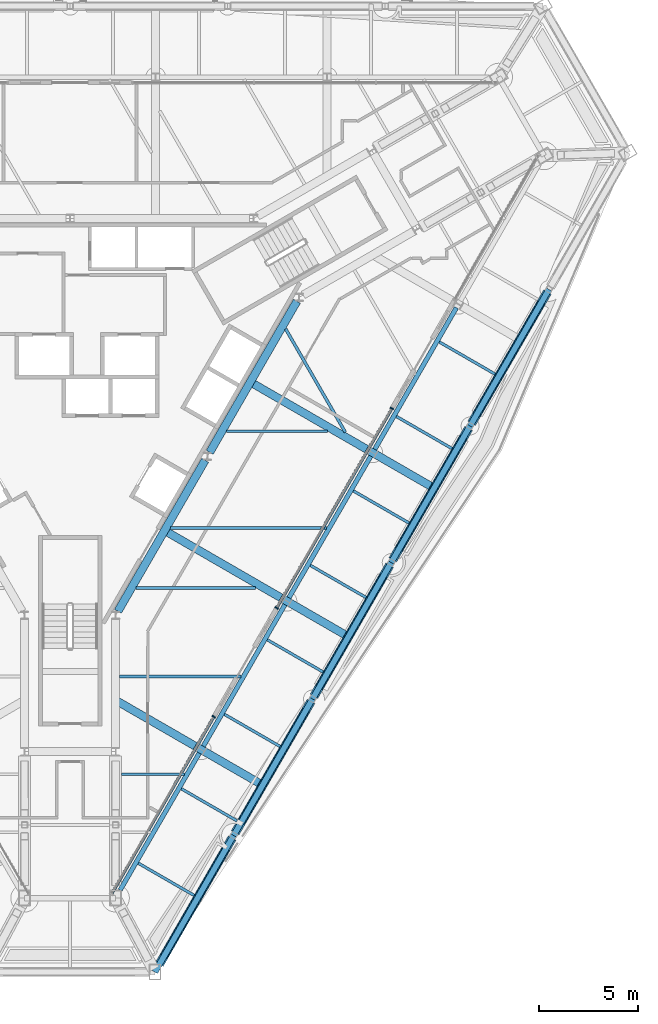
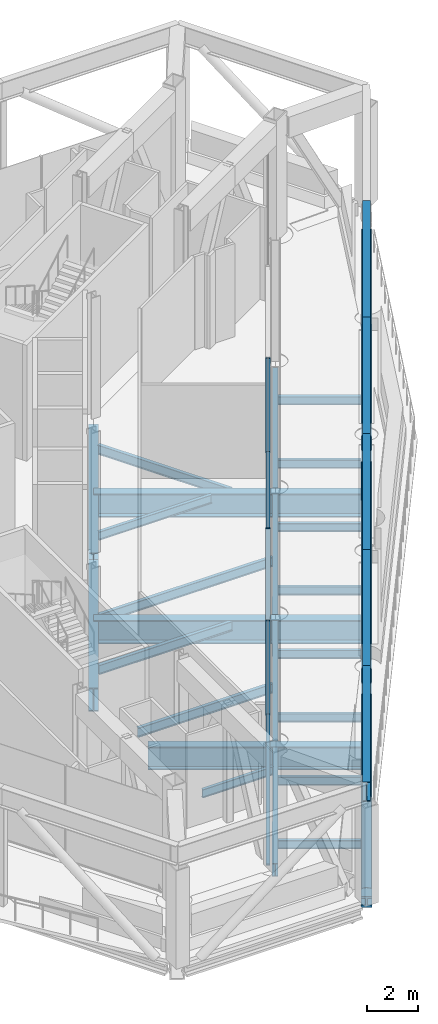
# One storey, part 8 of 24: 33 beams, 10 members, 2 elements without a shape of their own.
"""IFC4 building model written with IfcOpenShell, lengths in metres."""

from ifc_helpers import new_model, si_unit, direction, frame, origin, origin_2d, place, context, subcontext, project, spatial, rectangle, hollow_circle, i_section, extrude, material, material_profile, profile_set, type_object, element, aggregate, save


model = new_model("IFC4")

# Units and contexts
model_context = context("Model", 3, precision=1e-05, world=origin(), true_north=direction((0.0, 1.0)))
body_context = subcontext(model_context, "Body", "Model", "MODEL_VIEW")
ifc_project = project(units=[si_unit("LENGTHUNIT", "METRE"), si_unit("AREAUNIT", "SQUARE_METRE"), si_unit("VOLUMEUNIT", "CUBIC_METRE"), si_unit("PLANEANGLEUNIT", "RADIAN"), si_unit("MASSUNIT", "GRAM", prefix="KILO")], contexts=[model_context])

# Site, building, storey
site_placement = place(None, origin())
site = spatial("IfcSite", under=ifc_project, at=site_placement, CompositionType="ELEMENT")
building_placement = place(site_placement, origin())
building = spatial("IfcBuilding", under=site, at=building_placement, Name="Verrane Prism Tower", CompositionType="ELEMENT")
storey_placement = place(building_placement, frame((0.0, 0.0, 200.60009765625)))
storey = spatial("IfcBuildingStorey", under=building, at=storey_placement, Name="L50", CompositionType="ELEMENT", Elevation=200.60009765625)

# Beams
ifc_material_1 = material(Name="Steel A992", Category="steel")
ifc_material_profile_1 = material_profile(ifc_material_1, i_section(OverallWidth=0.44189453125, OverallDepth=0.53076171875, WebThickness=0.06591796875, FlangeThickness=0.105712890625, FilletRadius=0.01513671875, at=origin_2d()), Name="W14x605")
ifc_profile_set_1 = profile_set([ifc_material_profile_1], Name="Steel A992")
beam_type_1 = type_object("IfcBeamType", Name="Belt truss chord W14x605", PredefinedType="BEAM", material=ifc_profile_set_1)
beam_1_placement = place(storey_placement, frame((4.510498046875, -29.6201171875, -0.4248046875), z_axis=(0.499227926312, 0.866470702096, 0.0), x_axis=(-0.866470702096, 0.499227926312, 0.0)))
element("IfcBeam", 1, at=beam_1_placement, inside=storey, type_object=beam_type_1, Name="Belt truss chord L50", PredefinedType="BEAM", context=body_context, shape_type="SweptSolid", body=[
    extrude(i_section(OverallWidth=0.44189453125, OverallDepth=0.53076171875, WebThickness=0.06591796875, FlangeThickness=0.105712890625, FilletRadius=0.01513671875, at=origin_2d()), origin(), (0.0, 0.0, 1.0), 7.337890625),
])
beam_2_placement = place(storey_placement, frame((8.326171875, -22.998046875, -0.4248046875), z_axis=(0.500208494112, 0.865904996185, 0.0), x_axis=(-0.865904996185, 0.500208494112, 0.0)))
element("IfcBeam", 2, at=beam_2_placement, inside=storey, type_object=beam_type_1, Name="Belt truss chord L50", PredefinedType="BEAM", context=body_context, shape_type="SweptSolid", body=[
    extrude(i_section(OverallWidth=0.44189453125, OverallDepth=0.53076171875, WebThickness=0.06591796875, FlangeThickness=0.105712890625, FilletRadius=0.01513671875, at=origin_2d()), origin(), (0.0, 0.0, 1.0), 7.652099609375),
])
beam_3_placement = place(storey_placement, frame((12.30615234375, -16.10791015625, -0.4248046875), z_axis=(0.499793471116, 0.866144610461, 0.0), x_axis=(-0.866144610461, 0.499793471116, 0.0)))
element("IfcBeam", 3, at=beam_3_placement, inside=storey, type_object=beam_type_1, Name="Belt truss chord L50", PredefinedType="BEAM", context=body_context, shape_type="SweptSolid", body=[
    extrude(i_section(OverallWidth=0.44189453125, OverallDepth=0.53076171875, WebThickness=0.06591796875, FlangeThickness=0.105712890625, FilletRadius=0.01513671875, at=origin_2d()), origin(), (0.0, 0.0, 1.0), 7.638427734375),
])
for number, where, z_axis, x_axis, name in (
    (4, (16.276123046875, -9.22802734375, -0.4248046875), (0.500208494112, 0.865904996185, 0.0), (-0.865904996185, 0.500208494112, 0.0), "Belt truss chord L50"),
    (5, (20.256103515625, -2.337890625, -0.4248046875), (0.500208494112, 0.865904996185, 0.0), (-0.865904996185, 0.500208494112, 0.0), "Belt truss chord L50"),
):
    element("IfcBeam", number, at=place(storey_placement, frame(where, z_axis=z_axis, x_axis=x_axis)), inside=storey, type_object=beam_type_1, Name=name, PredefinedType="BEAM", context=body_context, shape_type="SweptSolid", body=[
        extrude(i_section(OverallWidth=0.44189453125, OverallDepth=0.53076171875, WebThickness=0.06591796875, FlangeThickness=0.105712890625, FilletRadius=0.01513671875, at=origin_2d()), origin(), (0.0, 0.0, 1.0), 7.652099609375),
    ])
ifc_material_2 = material(Name="Steel A992", Category="steel")
ifc_material_profile_2 = material_profile(ifc_material_2, i_section(OverallWidth=0.307373046875, OverallDepth=0.927001953125, WebThickness=0.01953125, FlangeThickness=0.031982421875, FilletRadius=0.01904296875, at=origin_2d()), Name="W36x194")
ifc_profile_set_2 = profile_set([ifc_material_profile_2], Name="Steel A992")
beam_type_2 = type_object("IfcBeamType", Name="Belt truss chord W36x194", PredefinedType="BEAM", material=ifc_profile_set_2)
beam_4_placement = place(storey_placement, frame((4.280029296875, -30.02001953125, 5.176513671875), z_axis=(0.4992404173, 0.866463505137, 0.0), x_axis=(-0.866463505137, 0.4992404173, 0.0)))
element("IfcBeam", 6, at=beam_4_placement, inside=storey, type_object=beam_type_2, Name="Belt truss chord L50", PredefinedType="BEAM", context=body_context, shape_type="SweptSolid", body=[
    extrude(i_section(OverallWidth=0.307373046875, OverallDepth=0.927001953125, WebThickness=0.01953125, FlangeThickness=0.031982421875, FilletRadius=0.01904296875, at=origin_2d()), origin(), (0.0, 0.0, 1.0), 7.951904296875),
])
beam_5_placement = place(storey_placement, frame((8.25, -23.1298828125, 5.176513671875), z_axis=(0.500197848917, 0.865911145522, 0.0), x_axis=(-0.865911145522, 0.500197848917, 0.0)))
element("IfcBeam", 7, at=beam_5_placement, inside=storey, type_object=beam_type_2, Name="Belt truss chord L50", PredefinedType="BEAM", context=body_context, shape_type="SweptSolid", body=[
    extrude(i_section(OverallWidth=0.307373046875, OverallDepth=0.927001953125, WebThickness=0.01953125, FlangeThickness=0.031982421875, FilletRadius=0.01904296875, at=origin_2d()), origin(), (0.0, 0.0, 1.0), 7.956787109375),
])
beam_6_placement = place(storey_placement, frame((12.22998046875, -16.239990234375, 5.176513671875), z_axis=(0.499798728781, 0.866141576597, 0.0), x_axis=(-0.866141576597, 0.499798728781, 0.0)))
element("IfcBeam", 8, at=beam_6_placement, inside=storey, type_object=beam_type_2, Name="Belt truss chord L50", PredefinedType="BEAM", context=body_context, shape_type="SweptSolid", body=[
    extrude(i_section(OverallWidth=0.307373046875, OverallDepth=0.927001953125, WebThickness=0.01953125, FlangeThickness=0.031982421875, FilletRadius=0.01904296875, at=origin_2d()), origin(), (0.0, 0.0, 1.0), 7.943115234375),
])
beam_7_placement = place(storey_placement, frame((16.199951171875, -9.360107421875, 5.176513671875), z_axis=(0.500184559484, 0.865918822092, 0.0), x_axis=(-0.865918822092, 0.500184559484, 0.0)))
element("IfcBeam", 9, at=beam_7_placement, inside=storey, type_object=beam_type_2, Name="Belt truss chord L50", PredefinedType="BEAM", context=body_context, shape_type="SweptSolid", body=[
    extrude(i_section(OverallWidth=0.307373046875, OverallDepth=0.927001953125, WebThickness=0.01953125, FlangeThickness=0.031982421875, FilletRadius=0.01904296875, at=origin_2d()), origin(), (0.0, 0.0, 1.0), 7.95703125),
])
beam_8_placement = place(storey_placement, frame((20.179931640625, -2.469970703125, 5.176513671875), z_axis=(0.500197848917, 0.865911145522, 0.0), x_axis=(-0.865911145522, 0.500197848917, 0.0)))
element("IfcBeam", 10, at=beam_8_placement, inside=storey, type_object=beam_type_2, Name="Belt truss chord L50", PredefinedType="BEAM", context=body_context, shape_type="SweptSolid", body=[
    extrude(i_section(OverallWidth=0.307373046875, OverallDepth=0.927001953125, WebThickness=0.01953125, FlangeThickness=0.031982421875, FilletRadius=0.01904296875, at=origin_2d()), origin(), (0.0, 0.0, 1.0), 7.956787109375),
])

# Members
ifc_material_3 = material(Name="Steel A500 Grade C", Category="steel")
ifc_material_profile_3 = material_profile(ifc_material_3, hollow_circle(Radius=0.203125, WallThickness=0.0126953125, at=origin_2d()), Name="HSS16.000x0.500")
ifc_profile_set_3 = profile_set([ifc_material_profile_3], Name="Steel A500 Grade C")
member_type_1 = type_object("IfcMemberType", Name="Belt truss diagonal HSS16.000x0.500", PredefinedType="BRACE", material=ifc_profile_set_3)
member_1_placement = place(storey_placement, frame((4.755615234375, -29.194580078125, -0.1591796875), z_axis=(0.388800054285, 0.674779999428, 0.627300940666), x_axis=(-0.866461191339, 0.499244433022, 0.0)))
element("IfcMember", 11, at=member_1_placement, inside=storey, type_object=member_type_1, Name="Belt truss diagonal L50", PredefinedType="BRACE", context=body_context, shape_type="SweptSolid", body=[
    extrude(hollow_circle(Radius=0.203125, WallThickness=0.0126953125, at=origin_2d()), origin(), (0.0, 0.0, 1.0), 7.94970703125),
])
member_2_placement = place(storey_placement, frame((11.871337890625, -16.86083984375, -0.1591796875), z_axis=(-0.39493033552, -0.683684649303, 0.61368178268), x_axis=(0.86591305348, -0.500194545965, 0.0)))
element("IfcMember", 12, at=member_2_placement, inside=storey, type_object=member_type_1, Name="Belt truss diagonal L50", PredefinedType="BRACE", context=body_context, shape_type="SweptSolid", body=[
    extrude(hollow_circle(Radius=0.203125, WallThickness=0.0126953125, at=origin_2d()), origin(), (0.0, 0.0, 1.0), 8.1259765625),
])
member_3_placement = place(storey_placement, frame((12.588134765625, -15.619384765625, -0.1591796875), z_axis=(0.394324771858, 0.683367927917, 0.6144235098), x_axis=(-0.86614496066, 0.499792864218, 0.0)))
element("IfcMember", 13, at=member_3_placement, inside=storey, type_object=member_type_1, Name="Belt truss diagonal L50", PredefinedType="BRACE", context=body_context, shape_type="SweptSolid", body=[
    extrude(hollow_circle(Radius=0.203125, WallThickness=0.0126953125, at=origin_2d()), origin(), (0.0, 0.0, 1.0), 8.1162109375),
])
member_4_placement = place(storey_placement, frame((19.8212890625, -3.0908203125, -0.1591796875), z_axis=(-0.394904976905, -0.683692761294, 0.613689064079), x_axis=(0.865929534628, -0.500166013498, 0.0)))
element("IfcMember", 14, at=member_4_placement, inside=storey, type_object=member_type_1, Name="Belt truss diagonal L50", PredefinedType="BRACE", context=body_context, shape_type="SweptSolid", body=[
    extrude(hollow_circle(Radius=0.203125, WallThickness=0.0126953125, at=origin_2d()), origin(), (0.0, 0.0, 1.0), 8.1259765625),
])
member_5_placement = place(storey_placement, frame((20.538818359375, -1.84912109375, -0.1591796875), z_axis=(0.394913088803, 0.683676760173, 0.613701670107), x_axis=(-0.865920014639, 0.500182494943, 0.0)))
element("IfcMember", 15, at=member_5_placement, inside=storey, type_object=member_type_1, Name="Belt truss diagonal L50", PredefinedType="BRACE", context=body_context, shape_type="SweptSolid", body=[
    extrude(hollow_circle(Radius=0.203125, WallThickness=0.0126953125, at=origin_2d()), origin(), (0.0, 0.0, 1.0), 8.125732421875),
])

# Beams
ifc_material_4 = material(Name="Steel A992", Category="steel")
ifc_material_profile_4 = material_profile(ifc_material_4, i_section(OverallWidth=0.140380859375, OverallDepth=0.40380859375, WebThickness=0.007080078125, FlangeThickness=0.01123046875, FilletRadius=0.01025390625, at=origin_2d()), Name="W16x31")
ifc_profile_set_4 = profile_set([ifc_material_profile_4], Name="Steel A992")
beam_type_3 = type_object("IfcBeamType", Name="Floor beam W16x31", PredefinedType="BEAM", material=ifc_profile_set_4)
beam_9_placement = place(storey_placement, frame((21.4365234375, 0.147216796875, -0.362060546875), z_axis=(-0.86601641886, 0.500015562023, 0.0), x_axis=(-0.500015562023, -0.86601641886, 0.0)))
element("IfcBeam", 16, at=beam_9_placement, inside=storey, type_object=beam_type_3, Name="Floor beam L50", PredefinedType="BEAM", context=body_context, shape_type="SweptSolid", body=[
    extrude(i_section(OverallWidth=0.140380859375, OverallDepth=0.40380859375, WebThickness=0.007080078125, FlangeThickness=0.01123046875, FilletRadius=0.01025390625, at=origin_2d()), origin(), (0.0, 0.0, 1.0), 3.24462890625),
])
beam_10_placement = place(storey_placement, frame((19.266845703125, -3.609130859375, -0.362060546875), z_axis=(-0.866042624125, 0.49997017231, 0.0), x_axis=(-0.49997017231, -0.866042624125, 0.0)))
element("IfcBeam", 17, at=beam_10_placement, inside=storey, type_object=beam_type_3, Name="Floor beam L50", PredefinedType="BEAM", context=body_context, shape_type="SweptSolid", body=[
    extrude(i_section(OverallWidth=0.140380859375, OverallDepth=0.40380859375, WebThickness=0.007080078125, FlangeThickness=0.01123046875, FilletRadius=0.01025390625, at=origin_2d()), origin(), (0.0, 0.0, 1.0), 3.241943359375),
])
beam_11_placement = place(storey_placement, frame((17.096923828125, -7.365478515625, -0.362060546875), z_axis=(-0.866018751313, 0.500011522242, 0.0), x_axis=(-0.500011522242, -0.866018751313, 0.0)))
element("IfcBeam", 18, at=beam_11_placement, inside=storey, type_object=beam_type_3, Name="Floor beam L50", PredefinedType="BEAM", context=body_context, shape_type="SweptSolid", body=[
    extrude(i_section(OverallWidth=0.140380859375, OverallDepth=0.40380859375, WebThickness=0.007080078125, FlangeThickness=0.01123046875, FilletRadius=0.01025390625, at=origin_2d()), origin(), (0.0, 0.0, 1.0), 3.2412109375),
])
beam_12_placement = place(storey_placement, frame((14.927978515625, -11.122314453125, -0.362060546875), z_axis=(-0.866025149481, 0.500000440466, 0.0), x_axis=(-0.500000440466, -0.866025149481, 0.0)))
element("IfcBeam", 19, at=beam_12_placement, inside=storey, type_object=beam_type_3, Name="Floor beam L50", PredefinedType="BEAM", context=body_context, shape_type="SweptSolid", body=[
    extrude(i_section(OverallWidth=0.140380859375, OverallDepth=0.40380859375, WebThickness=0.007080078125, FlangeThickness=0.01123046875, FilletRadius=0.01025390625, at=origin_2d()), origin(), (0.0, 0.0, 1.0), 3.24365234375),
])
beam_13_placement = place(storey_placement, frame((12.760009765625, -14.879638671875, -0.362060546875), z_axis=(-0.866021460221, 0.500006830391, 0.0), x_axis=(-0.500006830391, -0.866021460221, 0.0)))
element("IfcBeam", 20, at=beam_13_placement, inside=storey, type_object=beam_type_3, Name="Floor beam L50", PredefinedType="BEAM", context=body_context, shape_type="SweptSolid", body=[
    extrude(i_section(OverallWidth=0.140380859375, OverallDepth=0.40380859375, WebThickness=0.007080078125, FlangeThickness=0.01123046875, FilletRadius=0.01025390625, at=origin_2d()), origin(), (0.0, 0.0, 1.0), 3.2451171875),
])
beam_14_placement = place(storey_placement, frame((10.590576171875, -18.63623046875, -0.362060546875), z_axis=(-0.86601506192, 0.500017912207, 0.0), x_axis=(-0.500017912207, -0.86601506192, 0.0)))
element("IfcBeam", 21, at=beam_14_placement, inside=storey, type_object=beam_type_3, Name="Floor beam L50", PredefinedType="BEAM", context=body_context, shape_type="SweptSolid", body=[
    extrude(i_section(OverallWidth=0.140380859375, OverallDepth=0.40380859375, WebThickness=0.007080078125, FlangeThickness=0.01123046875, FilletRadius=0.01025390625, at=origin_2d()), origin(), (0.0, 0.0, 1.0), 3.24267578125),
])
beam_15_placement = place(storey_placement, frame((8.4208984375, -22.392578125, -0.362060546875), z_axis=(-0.866028841934, 0.499994044904, 0.0), x_axis=(-0.499994044904, -0.866028841934, 0.0)))
element("IfcBeam", 22, at=beam_15_placement, inside=storey, type_object=beam_type_3, Name="Floor beam L50", PredefinedType="BEAM", context=body_context, shape_type="SweptSolid", body=[
    extrude(i_section(OverallWidth=0.140380859375, OverallDepth=0.40380859375, WebThickness=0.007080078125, FlangeThickness=0.01123046875, FilletRadius=0.01025390625, at=origin_2d()), origin(), (0.0, 0.0, 1.0), 3.2421875),
])
beam_16_placement = place(storey_placement, frame((6.25439453125, -26.15087890625, -0.362060546875), z_axis=(-0.866027848477, 0.499995765644, 0.0), x_axis=(-0.499995765644, -0.866027848477, 0.0)))
element("IfcBeam", 23, at=beam_16_placement, inside=storey, type_object=beam_type_3, Name="Floor beam L50", PredefinedType="BEAM", context=body_context, shape_type="SweptSolid", body=[
    extrude(i_section(OverallWidth=0.140380859375, OverallDepth=0.40380859375, WebThickness=0.007080078125, FlangeThickness=0.01123046875, FilletRadius=0.01025390625, at=origin_2d()), origin(), (0.0, 0.0, 1.0), 3.24755859375),
])
beam_17_placement = place(storey_placement, frame((2.598388671875, -20.03662109375, -0.362060546875), z_axis=(1.0, 0.0, 0.0), x_axis=(0.0, 1.0, 0.0)))
element("IfcBeam", 24, at=beam_17_placement, inside=storey, type_object=beam_type_3, Name="Floor beam L50", PredefinedType="BEAM", context=body_context, shape_type="SweptSolid", body=[
    extrude(i_section(OverallWidth=0.140380859375, OverallDepth=0.40380859375, WebThickness=0.007080078125, FlangeThickness=0.01123046875, FilletRadius=0.01025390625, at=origin_2d()), origin(), (0.0, 0.0, 1.0), 3.173828125),
])
beam_18_placement = place(storey_placement, frame((7.890869140625, -2.73681640625, -0.362060546875), z_axis=(1.0, 0.0, 0.0), x_axis=(0.0, 1.0, 0.0)))
element("IfcBeam", 25, at=beam_18_placement, inside=storey, type_object=beam_type_3, Name="Floor beam L50", PredefinedType="BEAM", context=body_context, shape_type="SweptSolid", body=[
    extrude(i_section(OverallWidth=0.140380859375, OverallDepth=0.40380859375, WebThickness=0.007080078125, FlangeThickness=0.01123046875, FilletRadius=0.01025390625, at=origin_2d()), origin(), (0.0, 0.0, 1.0), 5.099609375),
])
ifc_material_5 = material(Name="Steel A992", Category="steel")
ifc_material_profile_5 = material_profile(ifc_material_5, i_section(OverallWidth=0.15234375, OverallDepth=0.449462890625, WebThickness=0.007568359375, FlangeThickness=0.0107421875, FilletRadius=0.01025390625, at=origin_2d()), Name="W18x35")
ifc_profile_set_5 = profile_set([ifc_material_profile_5], Name="Steel A992")
beam_type_4 = type_object("IfcBeamType", Name="Floor beam W18x35", PredefinedType="BEAM", material=ifc_profile_set_5)
beam_19_placement = place(storey_placement, frame((2.501953125, -15.11669921875, -0.385009765625), z_axis=(1.0, 0.0, 0.0), x_axis=(0.0, 1.0, 0.0)))
element("IfcBeam", 26, at=beam_19_placement, inside=storey, type_object=beam_type_4, Name="Floor beam L50", PredefinedType="BEAM", context=body_context, shape_type="SweptSolid", body=[
    extrude(i_section(OverallWidth=0.15234375, OverallDepth=0.449462890625, WebThickness=0.007568359375, FlangeThickness=0.0107421875, FilletRadius=0.01025390625, at=origin_2d()), origin(), (0.0, 0.0, 1.0), 6.10986328125),
])
beam_20_placement = place(storey_placement, frame((3.33544921875, -10.63330078125, -0.385009765625), z_axis=(1.0, 0.0, 0.0), x_axis=(0.0, 1.0, 0.0)))
element("IfcBeam", 27, at=beam_20_placement, inside=storey, type_object=beam_type_4, Name="Floor beam L50", PredefinedType="BEAM", context=body_context, shape_type="SweptSolid", body=[
    extrude(i_section(OverallWidth=0.15234375, OverallDepth=0.449462890625, WebThickness=0.007568359375, FlangeThickness=0.0107421875, FilletRadius=0.01025390625, at=origin_2d()), origin(), (0.0, 0.0, 1.0), 6.02783203125),
])
beam_21_placement = place(storey_placement, frame((5.076171875, -7.623291015625, -0.385009765625), z_axis=(1.0, 0.0, 0.0), x_axis=(0.0, 1.0, 0.0)))
element("IfcBeam", 28, at=beam_21_placement, inside=storey, type_object=beam_type_4, Name="Floor beam L50", PredefinedType="BEAM", context=body_context, shape_type="SweptSolid", body=[
    extrude(i_section(OverallWidth=0.15234375, OverallDepth=0.449462890625, WebThickness=0.007568359375, FlangeThickness=0.0107421875, FilletRadius=0.01025390625, at=origin_2d()), origin(), (0.0, 0.0, 1.0), 7.8623046875),
])
beam_22_placement = place(storey_placement, frame((13.885498046875, -2.786865234375, -0.385009765625), z_axis=(-0.5000230048, 0.86601212155, 0.0), x_axis=(-0.86601212155, -0.5000230048, 0.0)))
element("IfcBeam", 29, at=beam_22_placement, inside=storey, type_object=beam_type_4, Name="Floor beam L50", PredefinedType="BEAM", context=body_context, shape_type="SweptSolid", body=[
    extrude(i_section(OverallWidth=0.15234375, OverallDepth=0.449462890625, WebThickness=0.007568359375, FlangeThickness=0.0107421875, FilletRadius=0.01025390625, at=origin_2d()), origin(), (0.0, 0.0, 1.0), 6.023681640625),
])

# Curtain wall, member
ifc_material_6 = material(Name="Aluminium framed insulated glazing", Category="aluminium")
curtain_wall_type = type_object("IfcCurtainWallType", Name="Curtain wall CW-A 8400 module", PredefinedType="NOTDEFINED", material=ifc_material_6)
curtain_wall_1_placement = place(storey_placement, origin())
curtain_wall_1 = element("IfcCurtainWall", 30, at=curtain_wall_1_placement, inside=storey, type_object=curtain_wall_type, Name="Refuge lounge glazing south-east face L50 1", PredefinedType="NOTDEFINED")
ifc_material_7 = material(Name="Aluminium alloy 6063-T6", Category="aluminium")
ifc_material_profile_6 = material_profile(ifc_material_7, rectangle(XDim=0.199951171875, YDim=0.070068359375, at=origin_2d()), Name="Mullion 70x200 aluminium")
ifc_profile_set_6 = profile_set([ifc_material_profile_6], Name="Aluminium alloy 6063-T6")
member_type_2 = type_object("IfcMemberType", Name="Mullion 70x200 aluminium", PredefinedType="MULLION", material=ifc_profile_set_6)
member_6_placement = place(storey_placement, frame((7.255126953125, -17.1357421875, 0.0), z_axis=(0.0, 0.0, 1.0), x_axis=(-0.866027425724, 0.499996497882, 0.0)))
member_6 = element("IfcMember", 31, at=member_6_placement, type_object=member_type_2, Name="CW50.6.1 mullion 2", PredefinedType="MULLION", context=body_context, shape_type="SweptSolid", body=[
    extrude(rectangle(XDim=0.199951171875, YDim=0.070068359375, at=origin_2d()), origin(), (0.0, 0.0, 1.0), 4.522216796875),
])

# Curtain wall, members
curtain_wall_2_placement = place(storey_placement, origin())
curtain_wall_2 = element("IfcCurtainWall", 32, at=curtain_wall_2_placement, inside=storey, type_object=curtain_wall_type, Name="Refuge lounge glazing south-east face L50 2", PredefinedType="NOTDEFINED")
member_7_placement = place(storey_placement, frame((10.420166015625, -11.65380859375, 0.0), z_axis=(0.0, 0.0, 1.0), x_axis=(-0.866026301441, 0.49999844521, 0.0)))
member_7 = element("IfcMember", 33, at=member_7_placement, type_object=member_type_2, Name="CW50.6.2 mullion 1", PredefinedType="MULLION", context=body_context, shape_type="SweptSolid", body=[
    extrude(rectangle(XDim=0.199951171875, YDim=0.070068359375, at=origin_2d()), origin(), (0.0, 0.0, 1.0), 4.522216796875),
])
member_8_placement = place(storey_placement, frame((16.234619140625, -1.5830078125, 0.0), z_axis=(0.0, 0.0, 1.0), x_axis=(-0.866026301441, 0.49999844521, 0.0)))
member_8 = element("IfcMember", 34, at=member_8_placement, type_object=member_type_2, Name="CW50.6.2 mullion 2", PredefinedType="MULLION", context=body_context, shape_type="SweptSolid", body=[
    extrude(rectangle(XDim=0.199951171875, YDim=0.070068359375, at=origin_2d()), origin(), (0.0, 0.0, 1.0), 4.522216796875),
])

# Beams
ifc_material_8 = material(Name="Steel A992", Category="steel")
ifc_material_profile_7 = material_profile(ifc_material_8, i_section(OverallWidth=0.23046875, OverallDepth=0.6171875, WebThickness=0.01318359375, FlangeThickness=0.022216796875, FilletRadius=0.012939453125, at=origin_2d()), Name="W24x94")
ifc_profile_set_7 = profile_set([ifc_material_profile_7], Name="Steel A992")
beam_type_5 = type_object("IfcBeamType", Name="Spandrel beam W24x94", PredefinedType="SPANDREL", material=ifc_profile_set_7)
beam_23_placement = place(storey_placement, frame((2.521240234375, -25.889892578125, -0.46875), z_axis=(0.500486844155, 0.865744141666, 0.0), x_axis=(-0.865744141666, 0.500486844155, 0.0)))
element("IfcBeam", 35, at=beam_23_placement, inside=storey, type_object=beam_type_5, Name="Spandrel beam L50", PredefinedType="SPANDREL", context=body_context, shape_type="SweptSolid", body=[
    extrude(i_section(OverallWidth=0.23046875, OverallDepth=0.6171875, WebThickness=0.01318359375, FlangeThickness=0.022216796875, FilletRadius=0.012939453125, at=origin_2d()), origin(), (0.0, 0.0, 1.0), 7.98876953125),
])
beam_24_placement = place(storey_placement, frame((6.72021484375, -18.626220703125, -0.46875), z_axis=(0.499613933384, 0.866248184742, 0.0), x_axis=(-0.866248184742, 0.499613933384, 0.0)))
element("IfcBeam", 36, at=beam_24_placement, inside=storey, type_object=beam_type_5, Name="Spandrel beam L50", PredefinedType="SPANDREL", context=body_context, shape_type="SweptSolid", body=[
    extrude(i_section(OverallWidth=0.23046875, OverallDepth=0.6171875, WebThickness=0.01318359375, FlangeThickness=0.022216796875, FilletRadius=0.012939453125, at=origin_2d()), origin(), (0.0, 0.0, 1.0), 8.2451171875),
])
beam_25_placement = place(storey_placement, frame((11.040283203125, -11.13623046875, -0.46875), z_axis=(0.500511266251, 0.865730022788, 0.0), x_axis=(-0.865730022788, 0.500511266251, 0.0)))
element("IfcBeam", 37, at=beam_25_placement, inside=storey, type_object=beam_type_5, Name="Spandrel beam L50", PredefinedType="SPANDREL", context=body_context, shape_type="SweptSolid", body=[
    extrude(i_section(OverallWidth=0.23046875, OverallDepth=0.6171875, WebThickness=0.01318359375, FlangeThickness=0.022216796875, FilletRadius=0.012939453125, at=origin_2d()), origin(), (0.0, 0.0, 1.0), 8.250244140625),
])
beam_26_placement = place(storey_placement, frame((15.370361328125, -3.646240234375, -0.46875), z_axis=(0.499613933384, 0.866248184742, 0.0), x_axis=(-0.866248184742, 0.499613933384, 0.0)))
element("IfcBeam", 38, at=beam_26_placement, inside=storey, type_object=beam_type_5, Name="Spandrel beam L50", PredefinedType="SPANDREL", context=body_context, shape_type="SweptSolid", body=[
    extrude(i_section(OverallWidth=0.23046875, OverallDepth=0.6171875, WebThickness=0.01318359375, FlangeThickness=0.022216796875, FilletRadius=0.012939453125, at=origin_2d()), origin(), (0.0, 0.0, 1.0), 8.2451171875),
])
ifc_material_9 = material(Name="Steel A992", Category="steel")
ifc_material_profile_8 = material_profile(ifc_material_9, i_section(OverallWidth=0.40380859375, OverallDepth=1.11767578125, WebThickness=0.026123046875, FlangeThickness=0.044921875, FilletRadius=0.02001953125, at=origin_2d()), Name="W44x335")
ifc_profile_set_8 = profile_set([ifc_material_profile_8], Name="Steel A992")
beam_type_6 = type_object("IfcBeamType", Name="Transfer girder W44x335", PredefinedType="BEAM", material=ifc_profile_set_8)
beam_27_placement = place(storey_placement, frame((2.4150390625, -11.820556640625, -0.808837890625), z_axis=(0.499988222896, 0.866032203192, 0.0), x_axis=(-0.866032203192, 0.499988222896, 0.0)))
element("IfcBeam", 39, at=beam_27_placement, inside=storey, type_object=beam_type_6, Name="Transfer girder L50", PredefinedType="BEAM", context=body_context, shape_type="SweptSolid", body=[
    extrude(i_section(OverallWidth=0.40380859375, OverallDepth=1.11767578125, WebThickness=0.026123046875, FlangeThickness=0.044921875, FilletRadius=0.02001953125, at=origin_2d()), origin(), (0.0, 0.0, 1.0), 8.800048828125),
])
beam_28_placement = place(storey_placement, frame((7.045166015625, -3.800537109375, -0.808837890625), z_axis=(0.499967414725, 0.866044216084, 0.0), x_axis=(-0.866044216084, 0.499967414725, 0.0)))
element("IfcBeam", 40, at=beam_28_placement, inside=storey, type_object=beam_type_6, Name="Transfer girder L50", PredefinedType="BEAM", context=body_context, shape_type="SweptSolid", body=[
    extrude(i_section(OverallWidth=0.40380859375, OverallDepth=1.11767578125, WebThickness=0.026123046875, FlangeThickness=0.044921875, FilletRadius=0.02001953125, at=origin_2d()), origin(), (0.0, 0.0, 1.0), 8.7998046875),
])
beam_29_placement = place(storey_placement, frame((9.5263671875, -20.47802734375, -0.718994140625), z_axis=(-0.866025284917, 0.500000205884, 0.0), x_axis=(-0.500000205884, -0.866025284917, 0.0)))
element("IfcBeam", 41, at=beam_29_placement, inside=storey, type_object=beam_type_6, Name="Transfer girder L50", PredefinedType="BEAM", context=body_context, shape_type="SweptSolid", body=[
    extrude(i_section(OverallWidth=0.40380859375, OverallDepth=1.11767578125, WebThickness=0.026123046875, FlangeThickness=0.044921875, FilletRadius=0.02001953125, at=origin_2d()), origin(), (0.0, 0.0, 1.0), 8.34423828125),
])
for number, where, z_axis, x_axis, name in (
    (42, (13.849609375, -12.989990234375, -0.718994140625), (-0.866015397586, 0.500017330844, 0.0), (-0.500017330844, -0.866015397586, 0.0), "Transfer girder L50"),
    (43, (18.17529296875, -5.497314453125, -0.718994140625), (-0.866031297746, 0.49998979122, 0.0), (-0.49998979122, -0.866031297746, 0.0), "Transfer girder L50"),
):
    element("IfcBeam", number, at=place(storey_placement, frame(where, z_axis=z_axis, x_axis=x_axis)), inside=storey, type_object=beam_type_6, Name=name, PredefinedType="BEAM", context=body_context, shape_type="SweptSolid", body=[
        extrude(i_section(OverallWidth=0.40380859375, OverallDepth=1.11767578125, WebThickness=0.026123046875, FlangeThickness=0.044921875, FilletRadius=0.02001953125, at=origin_2d()), origin(), (0.0, 0.0, 1.0), 10.487548828125),
    ])

# Member
ifc_material_10 = material(Name="Aluminium alloy 6063-T6", Category="aluminium")
ifc_material_profile_9 = material_profile(ifc_material_10, rectangle(XDim=0.14990234375, YDim=0.070068359375, at=origin_2d()), Name="Transom 70x150 aluminium")
ifc_profile_set_9 = profile_set([ifc_material_profile_9], Name="Aluminium alloy 6063-T6")
member_type_3 = type_object("IfcMemberType", Name="Transom 70x150 aluminium", PredefinedType="USERDEFINED", material=ifc_profile_set_9)
member_9_placement = place(storey_placement, frame((2.106201171875, -26.053955078125, 0.034912109375), z_axis=(0.499992211244, 0.866029900578, 0.0), x_axis=(-0.866029900578, 0.499992211244, 0.0)))
member_9 = element("IfcMember", 44, at=member_9_placement, type_object=member_type_3, Name="CW50.6.1 transom 1", ObjectType="TRANSOM", PredefinedType="USERDEFINED", context=body_context, shape_type="SweptSolid", body=[
    extrude(rectangle(XDim=0.14990234375, YDim=0.070068359375, at=origin_2d()), origin(), (0.0, 0.0, 1.0), 10.262939453125),
])

aggregate(curtain_wall_1, [member_6, member_9])

member_10_placement = place(storey_placement, frame((10.4375, -11.62353515625, 0.034912109375), z_axis=(0.500007671222, 0.866020974757, 0.0), x_axis=(-0.866020974757, 0.500007671222, 0.0)))
member_10 = element("IfcMember", 45, at=member_10_placement, type_object=member_type_3, Name="CW50.6.2 transom 1", ObjectType="TRANSOM", PredefinedType="USERDEFINED", context=body_context, shape_type="SweptSolid", body=[
    extrude(rectangle(XDim=0.14990234375, YDim=0.070068359375, at=origin_2d()), origin(), (0.0, 0.0, 1.0), 11.558837890625),
])

aggregate(curtain_wall_2, [member_7, member_8, member_10])

save(model, "model.ifc")
